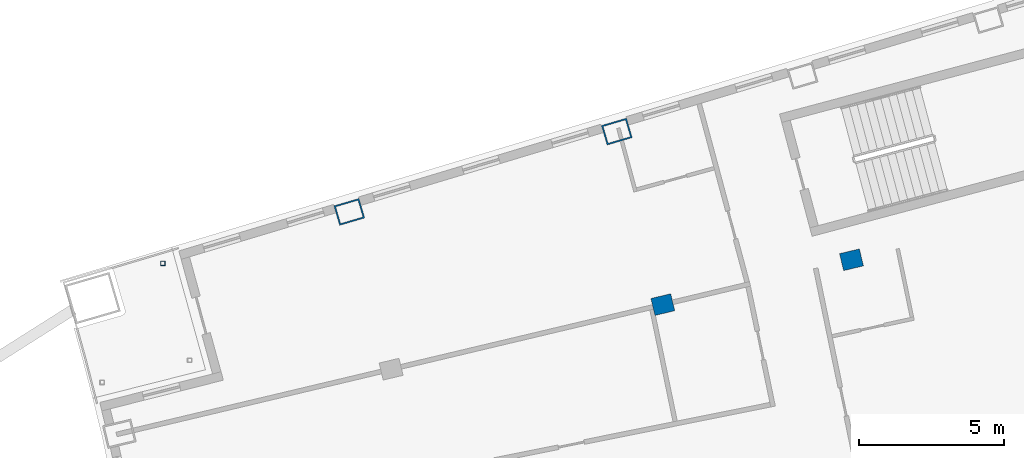
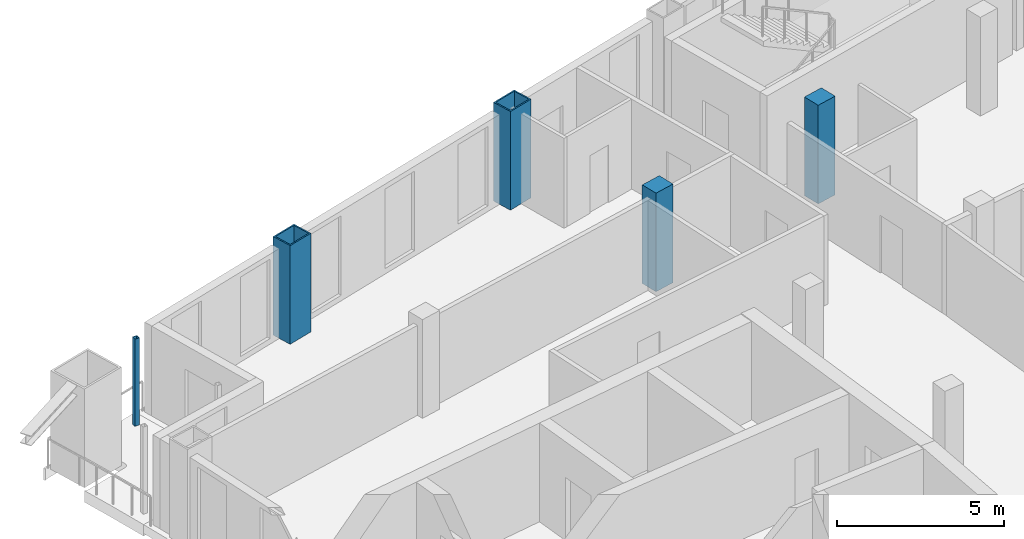
# One storey, part 5 of 16: 5 columns.
"""IFC4 building model written with IfcOpenShell, lengths in metres."""

from ifc_helpers import new_model, si_unit, direction, frame, origin, origin_2d, place, context, subcontext, project, spatial, rectangle, hollow_rectangle, extrude, material, material_profile, profile_set, type_object, element, save


model = new_model("IFC4")

# Units and contexts
model_context = context("Model", 3, precision=1e-05, world=origin(), true_north=direction((0.0, 1.0)))
body_context = subcontext(model_context, "Body", "Model", "MODEL_VIEW")
ifc_project = project(units=[si_unit("LENGTHUNIT", "METRE"), si_unit("AREAUNIT", "SQUARE_METRE"), si_unit("VOLUMEUNIT", "CUBIC_METRE"), si_unit("PLANEANGLEUNIT", "RADIAN"), si_unit("MASSUNIT", "GRAM", prefix="KILO")], contexts=[model_context])

# Site, building, storey
site_placement = place(None, origin())
site = spatial("IfcSite", under=ifc_project, at=site_placement, CompositionType="ELEMENT")
building_placement = place(site_placement, origin())
building = spatial("IfcBuilding", under=site, at=building_placement, Name="Alderwake Tower", CompositionType="ELEMENT")
storey_placement = place(building_placement, frame((0.0, 0.0, 281.60009765625)))
storey = spatial("IfcBuildingStorey", under=building, at=storey_placement, Name="L70", CompositionType="ELEMENT", Elevation=281.60009765625)

# Columns
ifc_material_1 = material(Name="Steel ASTM A572 Grade 50 concrete filled C70/85", Category="concrete")
ifc_material_profile_1 = material_profile(ifc_material_1, hollow_rectangle(XDim=0.699951171875, YDim=0.89990234375, WallThickness=0.050048828125, at=origin_2d()), Name="BOX 900X700X50")
ifc_profile_set_1 = profile_set([ifc_material_profile_1], Name="Steel ASTM A572 Grade 50 concrete filled C70/85")
column_type_1 = type_object("IfcColumnType", Name="End column Z5", PredefinedType="COLUMN", material=ifc_profile_set_1)
for number, where, z_axis, x_axis, name in (
    (1, (21.885498046875, 90.96240234375, 0.0), (0.0, 0.0, 1.0), (-0.282132160283, 0.95937554906, 0.0), "Column R12-C1"),
    (2, (31.080322265625, 93.72314453125, 0.0), (0.0, 0.0, 1.0), (-0.282582549822, 0.959242984095, 0.0), "Column R12-C2"),
):
    element("IfcColumn", number, at=place(storey_placement, frame(where, z_axis=z_axis, x_axis=x_axis)), inside=storey, type_object=column_type_1, Name=name, PredefinedType="COLUMN", context=body_context, shape_type="SweptSolid", body=[
        extrude(hollow_rectangle(XDim=0.699951171875, YDim=0.89990234375, WallThickness=0.050048828125, at=origin_2d()), origin(), (0.0, 0.0, 1.0), 3.599853515625),
    ])
ifc_material_2 = material(Name="Concrete C70/85", Category="concrete")
ifc_material_profile_2 = material_profile(ifc_material_2, rectangle(XDim=0.60009765625, YDim=0.699951171875, at=origin_2d()), Name="RC 700X600")
ifc_profile_set_2 = profile_set([ifc_material_profile_2], Name="Concrete C70/85")
column_type_2 = type_object("IfcColumnType", Name="Interior column Z5", PredefinedType="COLUMN", material=ifc_profile_set_2)
for number, where, z_axis, x_axis, name in (
    (3, (32.661865234375, 87.775390625, 0.0), (0.0, 0.0, 1.0), (-0.231221547198, 0.972901123502, 0.0), "Column R11-C2"),
    (4, (39.14794921875, 89.31689453125, 0.0), (0.0, 0.0, 1.0), (-0.231221547198, 0.972901123502, 0.0), "Column R11-C3"),
):
    element("IfcColumn", number, at=place(storey_placement, frame(where, z_axis=z_axis, x_axis=x_axis)), inside=storey, type_object=column_type_2, Name=name, PredefinedType="COLUMN", context=body_context, shape_type="SweptSolid", body=[
        extrude(rectangle(XDim=0.60009765625, YDim=0.699951171875, at=origin_2d()), origin(), (0.0, 0.0, 1.0), 3.599853515625),
    ])
ifc_material_3 = material(Name="Steel ASTM A500 Grade C", Category="steel")
ifc_material_profile_3 = material_profile(ifc_material_3, hollow_rectangle(XDim=0.15234375, YDim=0.15234375, WallThickness=0.0087890625, at=origin_2d()), Name="HSS6X6X3/8")
ifc_profile_set_3 = profile_set([ifc_material_profile_3], Name="Steel ASTM A500 Grade C")
column_type_3 = type_object("IfcColumnType", Name="Light post HSS6X6X3/8", PredefinedType="COLUMN", material=ifc_profile_set_3)
column_placement = place(storey_placement, frame((15.47412109375, 89.194091796875, 0.0), z_axis=(0.0, 0.0, 1.0), x_axis=(1.0, 0.0, 0.0)))
element("IfcColumn", 5, at=column_placement, inside=storey, type_object=column_type_3, Name="Terrace post RN2", PredefinedType="COLUMN", context=body_context, shape_type="SweptSolid", body=[
    extrude(hollow_rectangle(XDim=0.15234375, YDim=0.15234375, WallThickness=0.0087890625, at=origin_2d()), origin(), (0.0, 0.0, 1.0), 3.179931640625),
])

save(model, "model.ifc")
